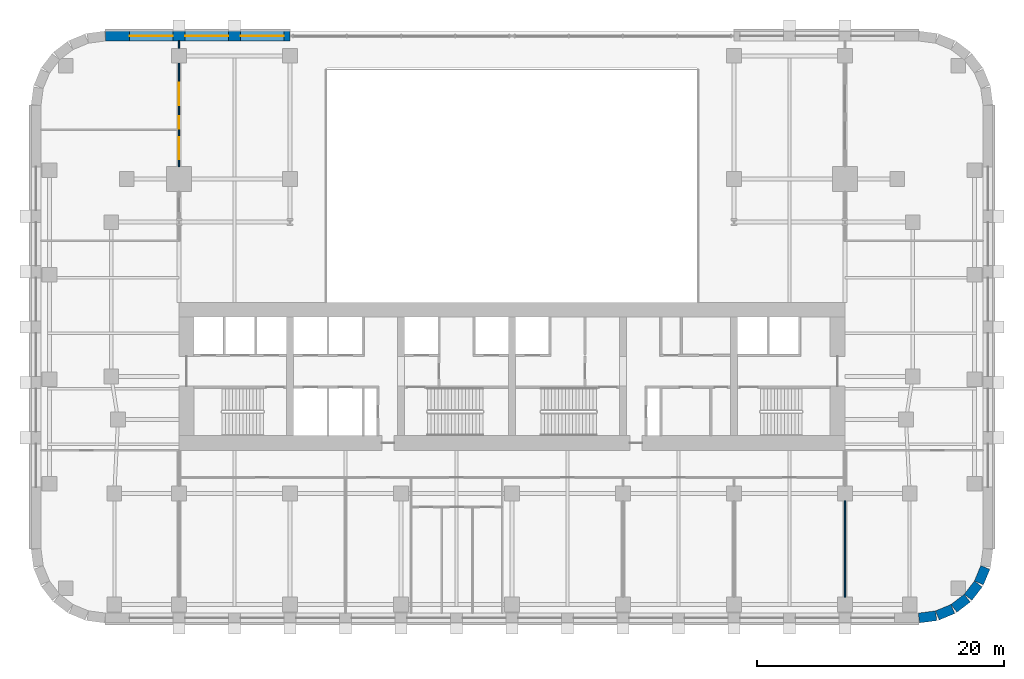
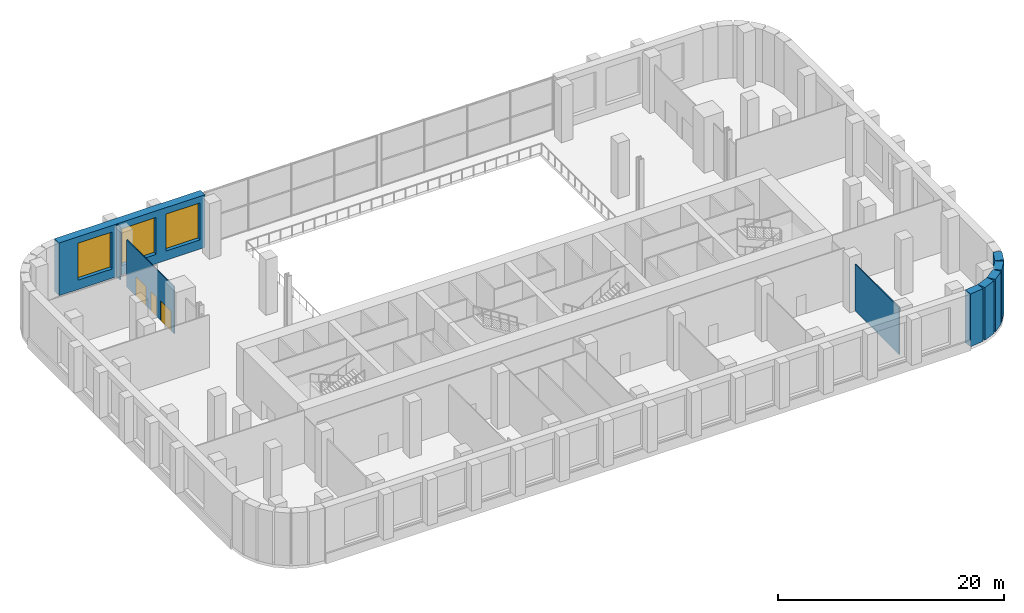
# One storey, part 7 of 13: 9 walls, 3 doors, 3 windows, 6 openings.
"""IFC4 building model written with IfcOpenShell, lengths in metres."""

from ifc_helpers import new_model, si_unit, direction, frame, frame_2d, origin, place, context, subcontext, project, spatial, rectangle, extrude, material, layer, layer_set, type_object, element, fill, save


model = new_model("IFC4")

# Units and contexts
model_context = context("Model", 3, precision=1e-05, world=origin(), true_north=direction((0.0, 1.0)))
body_context = subcontext(model_context, "Body", "Model", "MODEL_VIEW")
ifc_project = project(units=[si_unit("LENGTHUNIT", "METRE"), si_unit("AREAUNIT", "SQUARE_METRE"), si_unit("VOLUMEUNIT", "CUBIC_METRE"), si_unit("PLANEANGLEUNIT", "RADIAN"), si_unit("MASSUNIT", "GRAM", prefix="KILO")], contexts=[model_context])

# Site, building, storey
site_placement = place(None, origin())
site = spatial("IfcSite", under=ifc_project, at=site_placement, CompositionType="ELEMENT")
building_placement = place(site_placement, origin())
building = spatial("IfcBuilding", under=site, at=building_placement, Name="Zellij Exchange Tower", CompositionType="ELEMENT")
storey_placement = place(building_placement, frame((0.0, 0.0, 15.0)))
storey = spatial("IfcBuildingStorey", under=building, at=storey_placement, Name="L02", CompositionType="ELEMENT", Elevation=15.0)

# Walls
ifc_material_1 = material(Name="Precast concrete C40/50", Category="concrete")
ifc_layer_1 = layer(ifc_material_1, 0.800048828125)
ifc_layer_set_1 = layer_set([ifc_layer_1], Name="Precast concrete C40/50")
wall_type_1 = type_object("IfcWallType", Name="ENV-EW1 Precast stone-piered wall 800", PredefinedType="SOLIDWALL", material=ifc_layer_set_1)
wall_1_placement = place(storey_placement, frame((32.999755859375, -27.5966796875, 0.0), z_axis=(0.0, 0.0, 1.0), x_axis=(0.99144603414, 0.130517283865, 0.0)))
element("IfcWall", 1, at=wall_1_placement, inside=storey, type_object=wall_type_1, Name="fac.L02.01", PredefinedType="SOLIDWALL", context=body_context, shape_type="SweptSolid", body=[
    extrude(rectangle(XDim=1.408447265625, YDim=0.800048828125, at=frame_2d((0.7041015625, 0.0))), origin(), (0.0, 0.0, 1.0), 5.699951171875),
])
wall_2_placement = place(storey_placement, frame((34.497314453125, -27.3857421875, 0.0), z_axis=(0.0, 0.0, 1.0), x_axis=(0.923847774587, 0.38276009378, 0.0)))
element("IfcWall", 2, at=wall_2_placement, inside=storey, type_object=wall_type_1, Name="fac.L02.02", PredefinedType="SOLIDWALL", context=body_context, shape_type="SweptSolid", body=[
    extrude(rectangle(XDim=1.35546875, YDim=0.800048828125, at=frame_2d((0.677734375, 0.0))), origin(), (0.0, 0.0, 1.0), 5.699951171875),
])
for number, where, z_axis, x_axis, name in (
    (3, (35.840087890625, -26.814697265625, 0.0), (0.0, 0.0, 1.0), (0.793272915452, 0.608866226366, 0.0), "fac.L02.03"),
    (4, (36.9892578125, -25.91552734375, 0.0), (0.0, 0.0, 1.0), (0.608866226366, 0.793272915452, 0.0), "fac.L02.04"),
):
    element("IfcWall", number, at=place(storey_placement, frame(where, z_axis=z_axis, x_axis=x_axis)), inside=storey, type_object=wall_type_1, Name=name, PredefinedType="SOLIDWALL", context=body_context, shape_type="SweptSolid", body=[
        extrude(rectangle(XDim=1.355712890625, YDim=0.800048828125, at=frame_2d((0.677734375, 0.0))), origin(), (0.0, 0.0, 1.0), 5.699951171875),
    ])
wall_3_placement = place(storey_placement, frame((37.866943359375, -24.74951171875, 0.0), z_axis=(0.0, 0.0, 1.0), x_axis=(0.38276009378, 0.923847774587, 0.0)))
element("IfcWall", 5, at=wall_3_placement, inside=storey, type_object=wall_type_1, Name="fac.L02.05", PredefinedType="SOLIDWALL", context=body_context, shape_type="SweptSolid", body=[
    extrude(rectangle(XDim=1.35546875, YDim=0.800048828125, at=frame_2d((0.677734375, 0.0))), origin(), (0.0, 0.0, 1.0), 5.699951171875),
])

# Wall, openings, windows
wall_4_placement = place(storey_placement, frame((-18.0, 19.60009765625, 0.0), z_axis=(0.0, 0.0, 1.0), x_axis=(-1.0, 0.0, 0.0)))
wall_4 = element("IfcWall", 6, at=wall_4_placement, inside=storey, type_object=wall_type_1, Name="fac.L02.14d", PredefinedType="SOLIDWALL", context=body_context, shape_type="SweptSolid", body=[
    extrude(rectangle(XDim=14.947509765625, YDim=0.800048828125, at=frame_2d((7.4736328125, 0.0))), origin(), (0.0, 0.0, 1.0), 5.699951171875),
])
opening_1_placement = place(wall_4_placement, frame((0.5, 0.0, 1.0)))
opening_1 = element("IfcOpeningElement", 7, at=opening_1_placement, cuts=wall_4, Name="Opening FP.21", PredefinedType="OPENING", context=body_context, shape_type="SweptSolid", body=[
    extrude(rectangle(XDim=3.5, YDim=4.0, at=frame_2d((1.75, 2.0))), frame((0.0, 0.412109375, 0.0), z_axis=(0.0, -1.0, 0.0), x_axis=(1.0, 0.0, 0.0)), (0.0, 0.0, 1.0), 0.823974609375),
])
opening_2_placement = place(wall_4_placement, frame((5.0, 0.0, 1.0)))
opening_2 = element("IfcOpeningElement", 8, at=opening_2_placement, cuts=wall_4, Name="Opening FP.23", PredefinedType="OPENING", context=body_context, shape_type="SweptSolid", body=[
    extrude(rectangle(XDim=3.5, YDim=4.0, at=frame_2d((1.75, 2.0))), frame((0.0, 0.412109375, 0.0), z_axis=(0.0, -1.0, 0.0), x_axis=(1.0, 0.0, 0.0)), (0.0, 0.0, 1.0), 0.823974609375),
])
opening_3_placement = place(wall_4_placement, frame((9.5, 0.0, 1.0)))
opening_3 = element("IfcOpeningElement", 9, at=opening_3_placement, cuts=wall_4, Name="Opening FP.25", PredefinedType="OPENING", context=body_context, shape_type="SweptSolid", body=[
    extrude(rectangle(XDim=3.5, YDim=4.0, at=frame_2d((1.75, 2.0))), frame((0.0, 0.412109375, 0.0), z_axis=(0.0, -1.0, 0.0), x_axis=(1.0, 0.0, 0.0)), (0.0, 0.0, 1.0), 0.823974609375),
])
ifc_material_2 = material(Name="Aluminium frame with insulating glass", Category="aluminium")
window_type = type_object("IfcWindowType", Name="ENV-W2 Window 3500x4000", PartitioningType="SINGLE_PANEL", PredefinedType="WINDOW", material=ifc_material_2)
window_1_placement = place(opening_1_placement, origin())
window_1 = element("IfcWindow", 10, at=window_1_placement, inside=storey, type_object=window_type, Name="Window FP.21", OverallHeight=4.0, OverallWidth=3.5, PartitioningType="SINGLE_PANEL", PredefinedType="WINDOW", context=body_context, shape_type="SweptSolid", body=[
    extrude(rectangle(XDim=3.5, YDim=4.0, at=frame_2d((1.75, 2.0))), frame((0.0, 0.030029296875, 0.0), z_axis=(0.0, -1.0, 0.0), x_axis=(1.0, 0.0, 0.0)), (0.0, 0.0, 1.0), 0.06005859375),
])
fill(opening_1, window_1)
window_2_placement = place(opening_2_placement, origin())
window_2 = element("IfcWindow", 11, at=window_2_placement, inside=storey, type_object=window_type, Name="Window FP.23", OverallHeight=4.0, OverallWidth=3.5, PartitioningType="SINGLE_PANEL", PredefinedType="WINDOW", context=body_context, shape_type="SweptSolid", body=[
    extrude(rectangle(XDim=3.5, YDim=4.0, at=frame_2d((1.75, 2.0))), frame((0.0, 0.030029296875, 0.0), z_axis=(0.0, -1.0, 0.0), x_axis=(1.0, 0.0, 0.0)), (0.0, 0.0, 1.0), 0.06005859375),
])
fill(opening_2, window_2)
window_3_placement = place(opening_3_placement, origin())
window_3 = element("IfcWindow", 12, at=window_3_placement, inside=storey, type_object=window_type, Name="Window FP.25", OverallHeight=4.0, OverallWidth=3.5, PartitioningType="SINGLE_PANEL", PredefinedType="WINDOW", context=body_context, shape_type="SweptSolid", body=[
    extrude(rectangle(XDim=3.5, YDim=4.0, at=frame_2d((1.75, 2.0))), frame((0.0, 0.030029296875, 0.0), z_axis=(0.0, -1.0, 0.0), x_axis=(1.0, 0.0, 0.0)), (0.0, 0.0, 1.0), 0.06005859375),
])
fill(opening_3, window_3)

# Wall
ifc_material_3 = material(Name="Gypsum board partition on steel studs", Category="steel")
ifc_layer_2 = layer(ifc_material_3, 0.10009765625)
ifc_layer_set_2 = layer_set([ifc_layer_2], Name="Gypsum board partition on steel studs")
wall_type_2 = type_object("IfcWallType", Name="FIT-PARTITION-100", PredefinedType="PARTITIONING", material=ifc_layer_set_2)
wall_5_placement = place(storey_placement, frame((27.0, -25.89990234375, 0.0), z_axis=(0.0, 0.0, 1.0), x_axis=(0.0, 1.0, 0.0)))
element("IfcWall", 13, at=wall_5_placement, inside=storey, type_object=wall_type_2, Name="FIT-PARTITION-100 013", PredefinedType="PARTITIONING", context=body_context, shape_type="SweptSolid", body=[
    extrude(rectangle(XDim=7.7998046875, YDim=0.10009765625, at=frame_2d((3.89990234375, 0.0))), origin(), (0.0, 0.0, 1.0), 5.087890625),
])

# Wall, openings, doors
wall_6_placement = place(storey_placement, frame((-27.0, 9.0, 0.0), z_axis=(0.0, 0.0, 1.0), x_axis=(0.0, 1.0, 0.0)))
wall_6 = element("IfcWall", 14, at=wall_6_placement, inside=storey, type_object=wall_type_2, Name="FIT-PARTITION-100 022", PredefinedType="PARTITIONING", context=body_context, shape_type="SweptSolid", body=[
    extrude(rectangle(XDim=8.39990234375, YDim=0.10009765625, at=frame_2d((4.199951171875, 0.0))), origin(), (0.0, 0.0, 1.0), 5.087890625),
])
opening_4_placement = place(wall_6_placement, frame((0.60009765625, 0.0, 0.0)))
opening_4 = element("IfcOpeningElement", 15, at=opening_4_placement, cuts=wall_6, Name="Opening P2.13", PredefinedType="OPENING", context=body_context, shape_type="SweptSolid", body=[
    extrude(rectangle(XDim=1.800048828125, YDim=2.10009765625, at=frame_2d((0.89990234375, 1.050048828125))), frame((0.0, 0.06201171875, 0.0), z_axis=(0.0, -1.0, 0.0), x_axis=(1.0, 0.0, 0.0)), (0.0, 0.0, 1.0), 0.1240234375),
])
opening_5_placement = place(wall_6_placement, frame((3.10009765625, 0.0, 0.0)))
opening_5 = element("IfcOpeningElement", 16, at=opening_5_placement, cuts=wall_6, Name="Opening P2.15", PredefinedType="OPENING", context=body_context, shape_type="SweptSolid", body=[
    extrude(rectangle(XDim=1.0, YDim=2.10009765625, at=frame_2d((0.5, 1.050048828125))), frame((0.0, 0.06201171875, 0.0), z_axis=(0.0, -1.0, 0.0), x_axis=(1.0, 0.0, 0.0)), (0.0, 0.0, 1.0), 0.1240234375),
])
opening_6_placement = place(wall_6_placement, frame((5.0, 0.0, 0.0)))
opening_6 = element("IfcOpeningElement", 17, at=opening_6_placement, cuts=wall_6, Name="Opening P2.17", PredefinedType="OPENING", context=body_context, shape_type="SweptSolid", body=[
    extrude(rectangle(XDim=1.800048828125, YDim=2.10009765625, at=frame_2d((0.89990234375, 1.050048828125))), frame((0.0, 0.06201171875, 0.0), z_axis=(0.0, -1.0, 0.0), x_axis=(1.0, 0.0, 0.0)), (0.0, 0.0, 1.0), 0.1240234375),
])
ifc_material_4 = material(Name="Timber door set", Category="wood")
door_type_1 = type_object("IfcDoorType", Name="FIT-D2-WIDE-1000X2100", OperationType="SINGLE_SWING_LEFT", PredefinedType="DOOR", material=ifc_material_4)
door_1_placement = place(opening_5_placement, origin())
door_1 = element("IfcDoor", 18, at=door_1_placement, inside=storey, type_object=door_type_1, Name="Door P2.15", OperationType="SINGLE_SWING_LEFT", OverallHeight=2.10009765625, OverallWidth=1.0, PredefinedType="DOOR", context=body_context, shape_type="SweptSolid", body=[
    extrude(rectangle(XDim=1.0, YDim=2.10009765625, at=frame_2d((0.5, 1.050048828125))), frame((0.0, 0.02490234375, 0.0), z_axis=(0.0, -1.0, 0.0), x_axis=(1.0, 0.0, 0.0)), (0.0, 0.0, 1.0), 0.050048828125),
])
fill(opening_5, door_1)
door_type_2 = type_object("IfcDoorType", Name="FIT-D3-DOUBLE-1800X2100", OperationType="DOUBLE_DOOR_SINGLE_SWING", PredefinedType="DOOR", material=ifc_material_4)
door_2_placement = place(opening_4_placement, origin())
door_2 = element("IfcDoor", 19, at=door_2_placement, inside=storey, type_object=door_type_2, Name="Door P2.13", OperationType="DOUBLE_DOOR_SINGLE_SWING", OverallHeight=2.10009765625, OverallWidth=1.800048828125, PredefinedType="DOOR", context=body_context, shape_type="SweptSolid", body=[
    extrude(rectangle(XDim=1.800048828125, YDim=2.10009765625, at=frame_2d((0.89990234375, 1.050048828125))), frame((0.0, 0.02490234375, 0.0), z_axis=(0.0, -1.0, 0.0), x_axis=(1.0, 0.0, 0.0)), (0.0, 0.0, 1.0), 0.050048828125),
])
fill(opening_4, door_2)
door_3_placement = place(opening_6_placement, origin())
door_3 = element("IfcDoor", 20, at=door_3_placement, inside=storey, type_object=door_type_2, Name="Door P2.17", OperationType="DOUBLE_DOOR_SINGLE_SWING", OverallHeight=2.10009765625, OverallWidth=1.800048828125, PredefinedType="DOOR", context=body_context, shape_type="SweptSolid", body=[
    extrude(rectangle(XDim=1.800048828125, YDim=2.10009765625, at=frame_2d((0.89990234375, 1.050048828125))), frame((0.0, 0.02490234375, 0.0), z_axis=(0.0, -1.0, 0.0), x_axis=(1.0, 0.0, 0.0)), (0.0, 0.0, 1.0), 0.050048828125),
])
fill(opening_6, door_3)

# Wall
wall_7_placement = place(storey_placement, frame((-27.0, 18.60009765625, 0.0), z_axis=(0.0, 0.0, 1.0), x_axis=(0.0, 1.0, 0.0)))
element("IfcWall", 21, at=wall_7_placement, inside=storey, type_object=wall_type_2, Name="FIT-PARTITION-100 023", PredefinedType="PARTITIONING", context=body_context, shape_type="SweptSolid", body=[
    extrude(rectangle(XDim=0.599853515625, YDim=0.10009765625, at=frame_2d((0.2998046875, 0.0))), origin(), (0.0, 0.0, 1.0), 5.699951171875),
])

save(model, "model.ifc")
